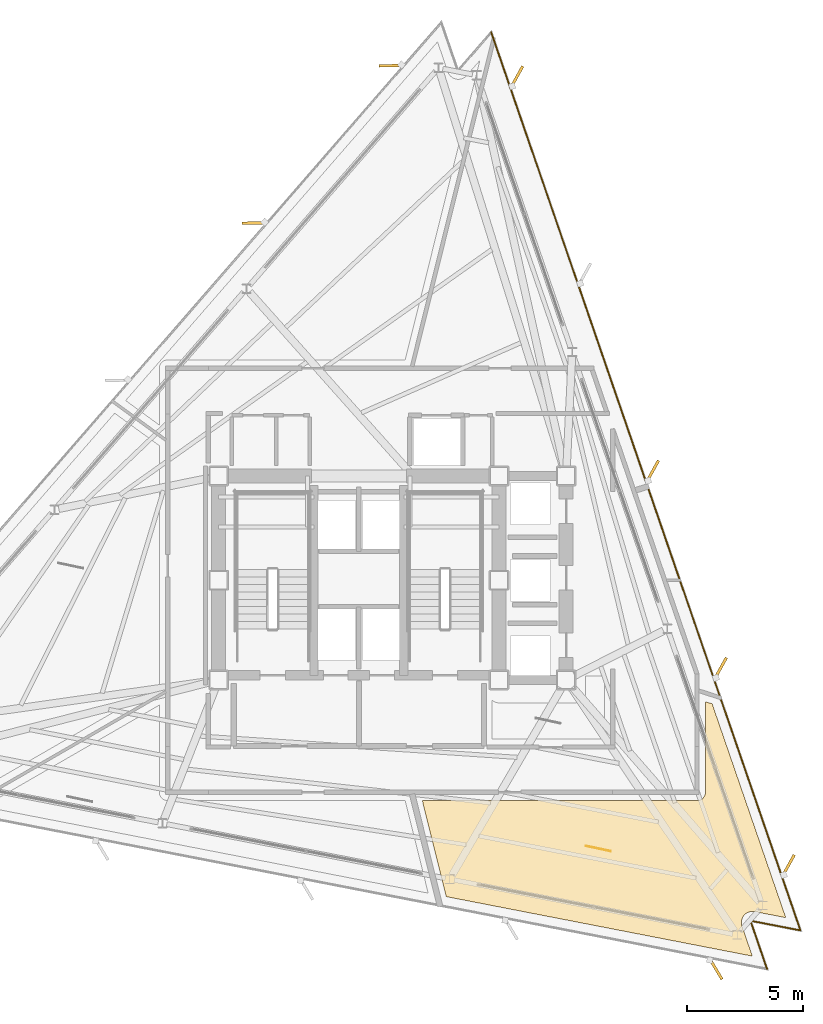
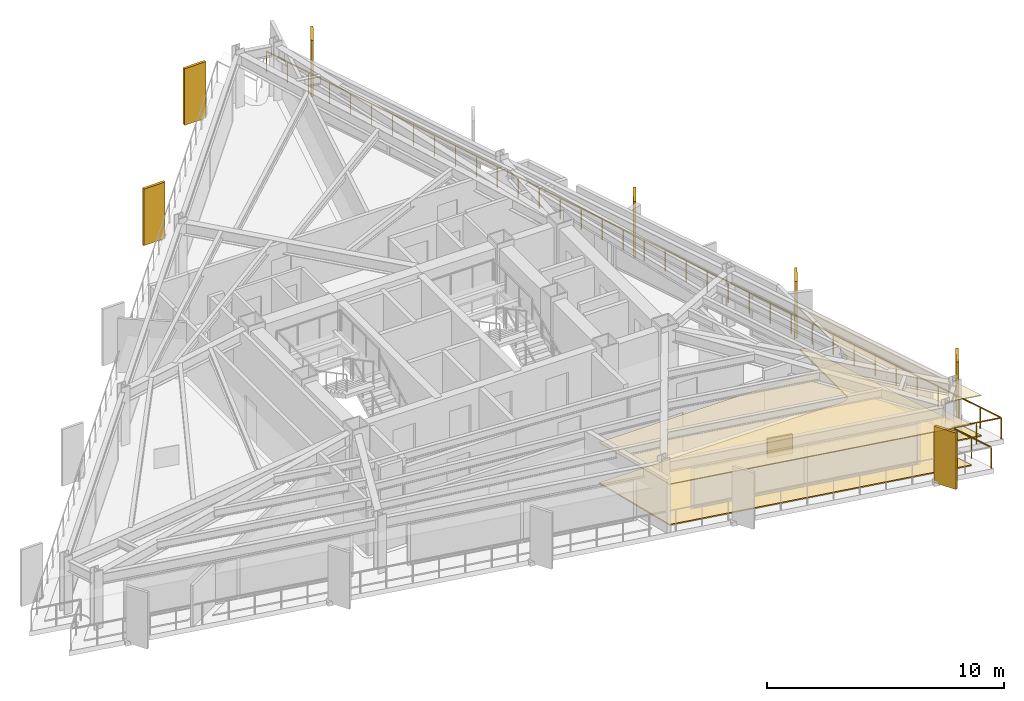
# One storey, part 13 of 13: 7 shading devices, 3 coverings, 1 railing.
"""IFC4 building model written with IfcOpenShell, lengths in metres."""

import ifcopenshell
import ifcopenshell.guid

model = None  # the IFC model being written
_history = None  # IfcOwnerHistory: only IFC2X3 demands one
_inside = {}  # id of a spatial element -> (the spatial element, [elements in it])
_under = {}  # id of a project, library or spatial element -> (it, [spatial elements below it])
_declared = {}  # id of a project -> (the project, [libraries it declares])
_typed = {}  # id of a type object -> (the type object, [elements of that type])
_made_of = {}  # id of a material, layer set ... -> (it, [elements and type objects made of it])


def new_model(schema):
    """Start an empty IFC model of exactly this schema.

    Asked for "IFC4X3", IfcOpenShell would pick the latest addendum, in which some entities
    have other attributes; the version numbers below select the first issue.
    IFC2X3 requires an IfcOwnerHistory on every rooted entity: one is made here for all.
    """
    global model, _history
    if schema == "IFC4X3":
        model = ifcopenshell.file(schema_version=(4, 3, 0, 0))
    else:
        model = ifcopenshell.file(schema=schema)
    _inside.clear()
    _under.clear()
    _declared.clear()
    _typed.clear()
    _made_of.clear()
    _history = None
    if model.schema == "IFC2X3":
        org = make("IfcOrganization", Name="unknown")
        user = make(
            "IfcPersonAndOrganization",
            ThePerson=make("IfcPerson", FamilyName="unknown"),
            TheOrganization=org,
        )
        app = make(
            "IfcApplication",
            ApplicationDeveloper=org,
            Version="unknown",
            ApplicationFullName="unknown",
            ApplicationIdentifier="unknown",
        )
        _history = make(
            "IfcOwnerHistory",
            OwningUser=user,
            OwningApplication=app,
            ChangeAction="ADDED",
            CreationDate=0,
        )
    return model


def make(cls, **values):
    """One entity of the class cls with the attributes given. An attribute that is None is left unset."""
    return model.create_entity(
        cls, **{name: value for name, value in values.items() if value is not None}
    )


def rooted(cls, **values):
    """An entity with a GlobalId (a new one), such as an element, a storey or a relation."""
    return make(cls, GlobalId=ifcopenshell.guid.new(), OwnerHistory=_history, **values)


def si_unit(unit_type, name, prefix=None):
    """IfcSIUnit, for example si_unit("LENGTHUNIT", "METRE", prefix="MILLI")."""
    return make("IfcSIUnit", UnitType=unit_type, Prefix=prefix, Name=name)


def assignment(units):
    """IfcUnitAssignment: the units of a project."""
    return None if units is None else make("IfcUnitAssignment", Units=units)


def point(xyz):
    """IfcCartesianPoint."""
    return None if xyz is None else make("IfcCartesianPoint", Coordinates=xyz)


def direction(xyz):
    """IfcDirection."""
    return None if xyz is None else make("IfcDirection", DirectionRatios=xyz)


def frame(location, z_axis=None, x_axis=None):
    """IfcAxis2Placement3D, a coordinate frame: its origin and axes. An axis left out is left unset."""
    return make(
        "IfcAxis2Placement3D",
        Location=point(location),
        Axis=direction(z_axis),
        RefDirection=direction(x_axis),
    )


def frame_2d(location, x_axis=None):
    """IfcAxis2Placement2D, a coordinate frame in the plane: its origin and x axis."""
    return make(
        "IfcAxis2Placement2D", Location=point(location), RefDirection=direction(x_axis)
    )


def origin():
    """The frame at (0, 0, 0) with its axes left unset."""
    return frame((0.0, 0.0, 0.0))


def origin_2d():
    """The frame at (0, 0) in the plane with its x axis left unset."""
    return frame_2d((0.0, 0.0))


def place(relative_to, where):
    """IfcLocalPlacement: puts the frame where relative to a parent placement (None: the world)."""
    return make(
        "IfcLocalPlacement", PlacementRelTo=relative_to, RelativePlacement=where
    )


def context(
    kind, dimensions, precision=None, world=None, true_north=None, identifier=None
):
    """IfcGeometricRepresentationContext, for example the 3D "Model" context."""
    return make(
        "IfcGeometricRepresentationContext",
        ContextIdentifier=identifier,
        ContextType=kind,
        CoordinateSpaceDimension=dimensions,
        Precision=precision,
        WorldCoordinateSystem=world,
        TrueNorth=true_north,
    )


def subcontext(parent, identifier, kind, view, scale=None):
    """IfcGeometricRepresentationSubContext, for example "Body" below "Model"."""
    return make(
        "IfcGeometricRepresentationSubContext",
        ContextIdentifier=identifier,
        ContextType=kind,
        ParentContext=parent,
        TargetScale=scale,
        TargetView=view,
    )


def project(units=None, contexts=None):
    """IfcProject with its units and contexts."""
    return rooted(
        "IfcProject",
        Name="project",
        RepresentationContexts=contexts,
        UnitsInContext=assignment(units),
    )


def spatial(cls, under=None, at=None, **own):
    """A site, building, storey or space (cls), placed at a placement, below another one or the project."""
    s = rooted(cls, ObjectPlacement=at, **own)
    if under is not None:
        _under.setdefault(under.id(), (under, []))[1].append(s)
    return s


def polyline(points):
    """IfcPolyline through the points."""
    return make("IfcPolyline", Points=[point(p) for p in points])


def profile(cls, at=None, kind="AREA", **sizes):
    """A parametric profile (cls). Its sizes go by their IFC names, for example OverallWidth=200.0."""
    return make(cls, ProfileType=kind, Position=at, **sizes)


def rectangle(**sizes):
    """IfcRectangleProfileDef."""
    return profile("IfcRectangleProfileDef", **sizes)


def outline(outer, holes=None, kind="AREA"):
    """IfcArbitraryClosedProfileDef: a profile drawn as a closed curve; with holes, ...WithVoids."""
    if holes is None:
        return make("IfcArbitraryClosedProfileDef", ProfileType=kind, OuterCurve=outer)
    return make(
        "IfcArbitraryProfileDefWithVoids",
        ProfileType=kind,
        OuterCurve=outer,
        InnerCurves=holes,
    )


def extrude(swept, where, along, depth):
    """IfcExtrudedAreaSolid: the profile swept, set in the frame where, extruded along a direction by depth."""
    return make(
        "IfcExtrudedAreaSolid",
        SweptArea=swept,
        Position=where,
        ExtrudedDirection=direction(along),
        Depth=depth,
    )


def shape(context_of_items, identifier, shape_type, items):
    """IfcShapeRepresentation: the items that make up one representation, for example the "Body"."""
    return make(
        "IfcShapeRepresentation",
        ContextOfItems=context_of_items,
        RepresentationIdentifier=identifier,
        RepresentationType=shape_type,
        Items=items,
    )


def material(Name=None, Category=None):
    """IfcMaterial."""
    return make("IfcMaterial", Name=Name, Category=Category)


def layer(
    of_material, thickness, ventilated=None, Name=None, Category=None, Priority=None
):
    """IfcMaterialLayer: one layer of a wall or slab, of a material (None: an air gap)."""
    return make(
        "IfcMaterialLayer",
        Material=of_material,
        LayerThickness=thickness,
        IsVentilated=ventilated,
        Name=Name,
        Category=Category,
        Priority=Priority,
    )


def layer_set(layers, Name=None):
    """IfcMaterialLayerSet."""
    return make("IfcMaterialLayerSet", MaterialLayers=layers, LayerSetName=Name)


def made_of(thing, what):
    """Note that an element or type object is made of a material, layer set ...; save() writes the relation."""
    if what is not None:
        _made_of.setdefault(what.id(), (what, []))[1].append(thing)
    return thing


def type_object(cls, material=None, **own):
    """A type object (cls), such as IfcWallType, which elements share."""
    return made_of(rooted(cls, **own), material)


def element(
    cls,
    number,
    at=None,
    inside=None,
    cuts=None,
    type_object=None,
    material=None,
    context=None,
    identifier="Body",
    shape_type=None,
    held_by="IfcProductDefinitionShape",
    body=None,
    shapes=None,
    **own,
):
    """One element of the class cls, such as IfcWall. Its Tag is "e" and its number.

    at: its placement. inside: the storey or other place that contains it. cuts: it is an
    opening in that element (IfcRelVoidsElement). A single representation is given by context,
    identifier, shape_type and body (its items); several are given by shapes. held_by: the class
    of the entity that holds the representations. save() writes the other relations.
    """
    e = rooted(cls, Tag="e%d" % number, ObjectPlacement=at, **own)
    if body is not None:
        shapes = [shape(context, identifier, shape_type, body)]
    if shapes is not None:
        e.Representation = make(held_by, Representations=shapes)
    if inside is not None:
        _inside.setdefault(inside.id(), (inside, []))[1].append(e)
    if cuts is not None:
        rooted(
            "IfcRelVoidsElement", RelatingBuildingElement=cuts, RelatedOpeningElement=e
        )
    if type_object is not None:
        _typed.setdefault(type_object.id(), (type_object, []))[1].append(e)
    return made_of(e, material)


def aggregate(whole, parts):
    """IfcRelAggregates: a whole, such as a stair, and the parts it consists of."""
    return rooted("IfcRelAggregates", RelatingObject=whole, RelatedObjects=parts)


def save(model, path):
    """Write the relations noted so far, then the file.

    IfcRelAggregates (storeys below a building ...), IfcRelContainedInSpatialStructure (elements
    in a storey), IfcRelDefinesByType, IfcRelAssociatesMaterial and IfcRelDeclares: one each for
    every whole, place, type object, material and project.
    """
    for whole, parts in _under.values():
        aggregate(whole, parts)
    for where, things in _inside.values():
        rooted(
            "IfcRelContainedInSpatialStructure",
            RelatedElements=things,
            RelatingStructure=where,
        )
    for kind, things in _typed.values():
        rooted("IfcRelDefinesByType", RelatedObjects=things, RelatingType=kind)
    for what, things in _made_of.values():
        rooted("IfcRelAssociatesMaterial", RelatedObjects=things, RelatingMaterial=what)
    for by, libraries in _declared.values():
        rooted("IfcRelDeclares", RelatingContext=by, RelatedDefinitions=libraries)
    model.write(path)


model = new_model("IFC4")

# Units and contexts
model_context = context("Model", 3, precision=1e-05, world=origin(), true_north=direction((0.0, 1.0)))
body_context = subcontext(model_context, "Body", "Model", "MODEL_VIEW")
ifc_project = project(units=[si_unit("LENGTHUNIT", "METRE"), si_unit("AREAUNIT", "SQUARE_METRE"), si_unit("VOLUMEUNIT", "CUBIC_METRE"), si_unit("PLANEANGLEUNIT", "RADIAN"), si_unit("MASSUNIT", "GRAM", prefix="KILO")], contexts=[model_context])

# Site, building, storey
site_placement = place(None, origin())
site = spatial("IfcSite", under=ifc_project, at=site_placement, CompositionType="ELEMENT")
building_placement = place(site_placement, origin())
building = spatial("IfcBuilding", under=site, at=building_placement, Name="Rocaltana Carrier Exchange", CompositionType="ELEMENT")
storey_placement = place(building_placement, frame((0.0, 0.0, 153.280029296875)))
storey = spatial("IfcBuildingStorey", under=building, at=storey_placement, Name="L48", CompositionType="ELEMENT", Elevation=153.280029296875)

# Coverings
ifc_material_1 = material(Name="Calcium Sulphate & Aluminium Pedestal", Category="aluminium")
ifc_layer_1 = layer(ifc_material_1, 0.06005859375)
ifc_layer_set_1 = layer_set([ifc_layer_1], Name="Calcium Sulphate & Aluminium Pedestal")
covering_type_1 = type_object("IfcCoveringType", Name="Anti-Static Raised Exchange Access Floor 60", PredefinedType="FLOORING", material=ifc_layer_set_1)
covering_1_placement = place(storey_placement, origin())
element("IfcCovering", 1, at=covering_1_placement, inside=storey, type_object=covering_type_1, Name="L48 Cloud Architecture Office Finish Floor", PredefinedType="FLOORING", context=body_context, shape_type="SweptSolid", body=[
    extrude(outline(polyline([(18.4287109375, -14.562255859375), (17.085205078125, -14.301025390625), (17.0712890625, -14.298828125), (17.051513671875, -14.2958984375), (17.023681640625, -14.29345703125), (17.00390625, -14.29248046875), (16.975830078125, -14.292724609375), (16.9560546875, -14.2939453125), (16.92822265625, -14.296875), (16.90869140625, -14.300048828125), (16.88134765625, -14.305908203125), (16.862060546875, -14.310791015625), (16.83544921875, -14.319091796875), (16.816650390625, -14.326171875), (16.791015625, -14.337158203125), (16.773193359375, -14.345947265625), (16.748779296875, -14.359619140625), (16.731689453125, -14.3701171875), (16.708984375, -14.385986328125), (16.693115234375, -14.398193359375), (16.671875, -14.416259765625), (16.6572265625, -14.429931640625), (16.637939453125, -14.449951171875), (16.625, -14.465087890625), (16.607666015625, -14.487060546875), (16.59619140625, -14.50341796875), (16.581298828125, -14.52685546875), (16.5712890625, -14.544189453125), (16.558837890625, -14.569091796875), (16.55078125, -14.58740234375), (16.540771484375, -14.613525390625), (16.534423828125, -14.63232421875), (16.527099609375, -14.6591796875), (16.522705078125, -14.6787109375), (16.518310546875, -14.706298828125), (16.515869140625, -14.72607421875), (16.513916015625, -14.75390625), (16.513671875, -14.77392578125), (16.5146484375, -14.8017578125), (16.51611328125, -14.82177734375), (16.52001953125, -14.849365234375), (16.5234375, -14.868896484375), (16.52978515625, -14.89599609375), (16.535400390625, -14.915283203125), (16.539794921875, -14.9287109375), (16.9853515625, -16.22265625), (3.775634765625, -13.65478515625), (2.7421875, -9.510009765625), (14.60009765625, -9.510009765625), (14.61376953125, -9.509765625), (14.62158203125, -9.50927734375), (14.64892578125, -9.506591796875), (14.65673828125, -9.50537109375), (14.68359375, -9.5), (14.69140625, -9.498291015625), (14.717529296875, -9.490234375), (14.724853515625, -9.487548828125), (14.750244140625, -9.47705078125), (14.75732421875, -9.4736328125), (14.78173828125, -9.460693359375), (14.788330078125, -9.456787109375), (14.811279296875, -9.44140625), (14.8173828125, -9.436767578125), (14.8388671875, -9.419189453125), (14.844482421875, -9.4140625), (14.864013671875, -9.39453125), (14.869384765625, -9.388916015625), (14.88671875, -9.367431640625), (14.891357421875, -9.361083984375), (14.90673828125, -9.33837890625), (14.91064453125, -9.331787109375), (14.923583984375, -9.307373046875), (14.927001953125, -9.30029296875), (14.9375, -9.27490234375), (14.940185546875, -9.267578125), (14.9482421875, -9.2412109375), (14.9501953125, -9.233642578125), (14.955322265625, -9.206787109375), (14.95654296875, -9.198974609375), (14.959228515625, -9.171630859375), (14.959716796875, -9.163818359375), (14.9599609375, -9.14990234375), (14.9599609375, -5.2392578125), (15.2509765625, -5.333984375), (18.4287109375, -14.562255859375)])), origin(), (0.0, 0.0, 1.0), 0.06005859375),
])
ifc_material_2 = material(Name="Mineral Fibre & Powder-Coated Aluminium", Category="aluminium")
ifc_layer_2 = layer(ifc_material_2, 0.044921875)
ifc_layer_set_2 = layer_set([ifc_layer_2], Name="Mineral Fibre & Powder-Coated Aluminium")
covering_type_2 = type_object("IfcCoveringType", Name="Micro-Perforated Acoustic Ceiling 45", PredefinedType="CEILING", material=ifc_layer_set_2)
covering_2_placement = place(storey_placement, frame((0.0, 0.0, 2.093017578125)))
element("IfcCovering", 2, at=covering_2_placement, inside=storey, type_object=covering_type_2, Name="L48 Cloud Architecture Office Acoustic Ceiling", PredefinedType="CEILING", context=body_context, shape_type="SweptSolid", body=[
    extrude(outline(polyline([(18.4287109375, -14.562255859375), (17.085205078125, -14.301025390625), (17.0712890625, -14.298828125), (17.051513671875, -14.2958984375), (17.023681640625, -14.29345703125), (17.00390625, -14.29248046875), (16.975830078125, -14.292724609375), (16.9560546875, -14.2939453125), (16.92822265625, -14.296875), (16.90869140625, -14.300048828125), (16.88134765625, -14.305908203125), (16.862060546875, -14.310791015625), (16.83544921875, -14.319091796875), (16.816650390625, -14.326171875), (16.791015625, -14.337158203125), (16.773193359375, -14.345947265625), (16.748779296875, -14.359619140625), (16.731689453125, -14.3701171875), (16.708984375, -14.385986328125), (16.693115234375, -14.398193359375), (16.671875, -14.416259765625), (16.6572265625, -14.429931640625), (16.637939453125, -14.449951171875), (16.625, -14.465087890625), (16.607666015625, -14.487060546875), (16.59619140625, -14.50341796875), (16.581298828125, -14.52685546875), (16.5712890625, -14.544189453125), (16.558837890625, -14.569091796875), (16.55078125, -14.58740234375), (16.540771484375, -14.613525390625), (16.534423828125, -14.63232421875), (16.527099609375, -14.6591796875), (16.522705078125, -14.6787109375), (16.518310546875, -14.706298828125), (16.515869140625, -14.72607421875), (16.513916015625, -14.75390625), (16.513671875, -14.77392578125), (16.5146484375, -14.8017578125), (16.51611328125, -14.82177734375), (16.52001953125, -14.849365234375), (16.5234375, -14.868896484375), (16.52978515625, -14.89599609375), (16.535400390625, -14.915283203125), (16.539794921875, -14.9287109375), (16.9853515625, -16.22265625), (3.775634765625, -13.65478515625), (2.7421875, -9.510009765625), (14.60009765625, -9.510009765625), (14.61376953125, -9.509765625), (14.62158203125, -9.50927734375), (14.64892578125, -9.506591796875), (14.65673828125, -9.50537109375), (14.68359375, -9.5), (14.69140625, -9.498291015625), (14.717529296875, -9.490234375), (14.724853515625, -9.487548828125), (14.750244140625, -9.47705078125), (14.75732421875, -9.4736328125), (14.78173828125, -9.460693359375), (14.788330078125, -9.456787109375), (14.811279296875, -9.44140625), (14.8173828125, -9.436767578125), (14.8388671875, -9.419189453125), (14.844482421875, -9.4140625), (14.864013671875, -9.39453125), (14.869384765625, -9.388916015625), (14.88671875, -9.367431640625), (14.891357421875, -9.361083984375), (14.90673828125, -9.33837890625), (14.91064453125, -9.331787109375), (14.923583984375, -9.307373046875), (14.927001953125, -9.30029296875), (14.9375, -9.27490234375), (14.940185546875, -9.267578125), (14.9482421875, -9.2412109375), (14.9501953125, -9.233642578125), (14.955322265625, -9.206787109375), (14.95654296875, -9.198974609375), (14.959228515625, -9.171630859375), (14.959716796875, -9.163818359375), (14.9599609375, -9.14990234375), (14.9599609375, -5.2392578125), (15.2509765625, -5.333984375), (18.4287109375, -14.562255859375)])), origin(), (0.0, 0.0, 1.0), 0.044921875),
])
ifc_material_3 = material(Name="Honed Piedra Muneca Sandstone", Category="masonry")
ifc_layer_3 = layer(ifc_material_3, 0.034912109375)
ifc_layer_set_3 = layer_set([ifc_layer_3], Name="Honed Piedra Muneca Sandstone")
covering_type_3 = type_object("IfcCoveringType", Name="Stone Facade Cladding 35", PredefinedType="CLADDING", material=ifc_layer_set_3)
covering_3_placement = place(storey_placement, frame((10.330810546875, -11.58251953125, 0.0), z_axis=(0.0, 0.0, 1.0), x_axis=(-0.978147600734, 0.207911690818, 0.0)))
element("IfcCovering", 3, at=covering_3_placement, inside=storey, type_object=covering_type_3, Name="L48 Stone Facade Cladding Panel 3", PredefinedType="CLADDING", context=body_context, shape_type="SweptSolid", body=[
    extrude(rectangle(XDim=1.10009765625, YDim=0.034912109375, at=origin_2d()), origin(), (0.0, 0.0, 1.0), 1.050048828125),
])

# Shading devices
ifc_material_4 = material(Name="Honed Bogota Sandstone & Concrete C45/55", Category="masonry")
ifc_layer_4 = layer(ifc_material_4, 0.1201171875)
ifc_layer_set_4 = layer_set([ifc_layer_4], Name="Honed Bogota Sandstone & Concrete C45/55")
shading_device_type = type_object("IfcShadingDeviceType", Name="Upper Sandstone Shading Fin 1050x120", PredefinedType="USERDEFINED", material=ifc_layer_set_4)
for number, where, z_axis, x_axis, name in (
    (4, (18.541748046875, -12.3095703125, -0.1201171875), (0.0, 0.0, 1.0), (0.484809620246, 0.874619707139, 0.0), "L48 Sandstone Vertical Fin F1-01"),
    (5, (15.61181640625, -3.7998046875, -0.1201171875), (0.0, 0.0, 1.0), (0.484809620246, 0.874619707139, 0.0), "L48 Sandstone Vertical Fin F1-02"),
    (6, (12.681396484375, 4.709716796875, -0.1201171875), (0.0, 0.0, 1.0), (0.484809620246, 0.874619707139, 0.0), "L48 Sandstone Vertical Fin F1-03"),
    (7, (6.8212890625, 21.729248046875, -0.1201171875), (0.0, 0.0, 1.0), (0.484809620246, 0.874619707139, 0.0), "L48 Sandstone Vertical Fin F1-05"),
    (8, (1.389404296875, 22.21240234375, -0.1201171875), (0.0, 0.0, 1.0), (-0.999847695156, -0.017452406437, 0.0), "L48 Sandstone Vertical Fin F2-01"),
    (9, (-4.51513671875, 15.419921875, -0.1201171875), (0.0, 0.0, 1.0), (-0.999847695156, -0.017452406437, 0.0), "L48 Sandstone Vertical Fin F2-02"),
    (10, (15.407470703125, -16.77197265625, -0.1201171875), (0.0, 0.0, 1.0), (0.51503807491, -0.857167300702, 0.0), "L48 Sandstone Vertical Fin F3-05"),
):
    element("IfcShadingDevice", number, at=place(storey_placement, frame(where, z_axis=z_axis, x_axis=x_axis)), inside=storey, type_object=shading_device_type, Name=name, ObjectType="FIN", PredefinedType="USERDEFINED", context=body_context, shape_type="SweptSolid", body=[
        extrude(rectangle(XDim=1.050048828125, YDim=0.1201171875, at=origin_2d()), origin(), (0.0, 0.0, 1.0), 2.907958984375),
    ])

# Railing
ifc_material_5 = material(Name="Powder-Coated Aluminium 6063-T6", Category="aluminium")
ifc_layer_5 = layer(ifc_material_5, 0.06005859375)
ifc_layer_set_5 = layer_set([ifc_layer_5], Name="Powder-Coated Aluminium 6063-T6")
railing_type = type_object("IfcRailingType", Name="Wind-Floor & Terrace Perimeter Guardrail 1100", PredefinedType="GUARDRAIL", material=ifc_layer_set_5)
railing_placement = place(storey_placement, frame((5.716796875, 23.6455078125, 0.0)))
element("IfcRailing", 11, at=railing_placement, inside=storey, type_object=railing_type, Name="L48 Perimeter Balcony Guardrail 3", PredefinedType="GUARDRAIL", context=body_context, shape_type="SweptSolid", body=[
    extrude(rectangle(XDim=0.048095703125, YDim=0.048095703125, at=origin_2d()), frame((0.0, 0.0, 1.076171875), z_axis=(0.325567757379, -0.945518712324, 0.0), x_axis=(0.945518712324, 0.325567757379, 0.0)), (0.0, 0.0, 1.0), 40.9921875),
    extrude(rectangle(XDim=0.048095703125, YDim=0.048095703125, at=origin_2d()), frame((13.345703125, -38.7587890625, 1.076171875), z_axis=(-0.981637329589, 0.190756790591, 0.0), x_axis=(-0.190756790591, -0.981637329589, 0.0)), (0.0, 0.0, 1.0), 2.199951171875),
    extrude(rectangle(XDim=0.048095703125, YDim=0.048095703125, at=origin_2d()), frame((11.18603515625, -38.339111328125, 1.076171875), z_axis=(0.325600768791, -0.945507344955, 0.0), x_axis=(0.945507344955, 0.325600768791, 0.0)), (0.0, 0.0, 1.0), 2.199951171875),
    extrude(rectangle(XDim=0.0419921875, YDim=0.0419921875, at=origin_2d()), origin(), (0.0, 0.0, 1.0), 1.052001953125),
    extrude(rectangle(XDim=0.0419921875, YDim=0.0419921875, at=origin_2d()), frame((0.38134765625, -1.107421875, 0.0)), (0.0, 0.0, 1.0), 1.052001953125),
    extrude(rectangle(XDim=0.0419921875, YDim=0.0419921875, at=origin_2d()), frame((0.7626953125, -2.21484375, 0.0)), (0.0, 0.0, 1.0), 1.052001953125),
    extrude(rectangle(XDim=0.0419921875, YDim=0.0419921875, at=origin_2d()), frame((1.143798828125, -3.322265625, 0.0)), (0.0, 0.0, 1.0), 1.052001953125),
    extrude(rectangle(XDim=0.0419921875, YDim=0.0419921875, at=origin_2d()), frame((1.525146484375, -4.4296875, 0.0)), (0.0, 0.0, 1.0), 1.052001953125),
    extrude(rectangle(XDim=0.0419921875, YDim=0.0419921875, at=origin_2d()), frame((1.906494140625, -5.536865234375, 0.0)), (0.0, 0.0, 1.0), 1.052001953125),
    extrude(rectangle(XDim=0.0419921875, YDim=0.0419921875, at=origin_2d()), frame((2.287841796875, -6.644287109375, 0.0)), (0.0, 0.0, 1.0), 1.052001953125),
    extrude(rectangle(XDim=0.0419921875, YDim=0.0419921875, at=origin_2d()), frame((2.669189453125, -7.751708984375, 0.0)), (0.0, 0.0, 1.0), 1.052001953125),
    extrude(rectangle(XDim=0.0419921875, YDim=0.0419921875, at=origin_2d()), frame((3.050537109375, -8.859130859375, 0.0)), (0.0, 0.0, 1.0), 1.052001953125),
    extrude(rectangle(XDim=0.0419921875, YDim=0.0419921875, at=origin_2d()), frame((3.431640625, -9.966552734375, 0.0)), (0.0, 0.0, 1.0), 1.052001953125),
    extrude(rectangle(XDim=0.0419921875, YDim=0.0419921875, at=origin_2d()), frame((3.81298828125, -11.073974609375, 0.0)), (0.0, 0.0, 1.0), 1.052001953125),
    extrude(rectangle(XDim=0.0419921875, YDim=0.0419921875, at=origin_2d()), frame((4.1943359375, -12.181396484375, 0.0)), (0.0, 0.0, 1.0), 1.052001953125),
    extrude(rectangle(XDim=0.0419921875, YDim=0.0419921875, at=origin_2d()), frame((4.57568359375, -13.288818359375, 0.0)), (0.0, 0.0, 1.0), 1.052001953125),
    extrude(rectangle(XDim=0.0419921875, YDim=0.0419921875, at=origin_2d()), frame((4.95703125, -14.396240234375, 0.0)), (0.0, 0.0, 1.0), 1.052001953125),
    extrude(rectangle(XDim=0.0419921875, YDim=0.0419921875, at=origin_2d()), frame((5.33837890625, -15.50341796875, 0.0)), (0.0, 0.0, 1.0), 1.052001953125),
    extrude(rectangle(XDim=0.0419921875, YDim=0.0419921875, at=origin_2d()), frame((5.719482421875, -16.61083984375, 0.0)), (0.0, 0.0, 1.0), 1.052001953125),
    extrude(rectangle(XDim=0.0419921875, YDim=0.0419921875, at=origin_2d()), frame((6.100830078125, -17.71826171875, 0.0)), (0.0, 0.0, 1.0), 1.052001953125),
    extrude(rectangle(XDim=0.0419921875, YDim=0.0419921875, at=origin_2d()), frame((6.482177734375, -18.82568359375, 0.0)), (0.0, 0.0, 1.0), 1.052001953125),
    extrude(rectangle(XDim=0.0419921875, YDim=0.0419921875, at=origin_2d()), frame((6.863525390625, -19.93310546875, 0.0)), (0.0, 0.0, 1.0), 1.052001953125),
    extrude(rectangle(XDim=0.0419921875, YDim=0.0419921875, at=origin_2d()), frame((7.244873046875, -21.04052734375, 0.0)), (0.0, 0.0, 1.0), 1.052001953125),
    extrude(rectangle(XDim=0.0419921875, YDim=0.0419921875, at=origin_2d()), frame((7.626220703125, -22.14794921875, 0.0)), (0.0, 0.0, 1.0), 1.052001953125),
    extrude(rectangle(XDim=0.0419921875, YDim=0.0419921875, at=origin_2d()), frame((8.00732421875, -23.25537109375, 0.0)), (0.0, 0.0, 1.0), 1.052001953125),
    extrude(rectangle(XDim=0.0419921875, YDim=0.0419921875, at=origin_2d()), frame((8.388671875, -24.362548828125, 0.0)), (0.0, 0.0, 1.0), 1.052001953125),
    extrude(rectangle(XDim=0.0419921875, YDim=0.0419921875, at=origin_2d()), frame((8.77001953125, -25.469970703125, 0.0)), (0.0, 0.0, 1.0), 1.052001953125),
    extrude(rectangle(XDim=0.0419921875, YDim=0.0419921875, at=origin_2d()), frame((9.1513671875, -26.577392578125, 0.0)), (0.0, 0.0, 1.0), 1.052001953125),
    extrude(rectangle(XDim=0.0419921875, YDim=0.0419921875, at=origin_2d()), frame((9.53271484375, -27.684814453125, 0.0)), (0.0, 0.0, 1.0), 1.052001953125),
    extrude(rectangle(XDim=0.0419921875, YDim=0.0419921875, at=origin_2d()), frame((9.9140625, -28.792236328125, 0.0)), (0.0, 0.0, 1.0), 1.052001953125),
    extrude(rectangle(XDim=0.0419921875, YDim=0.0419921875, at=origin_2d()), frame((10.295166015625, -29.899658203125, 0.0)), (0.0, 0.0, 1.0), 1.052001953125),
    extrude(rectangle(XDim=0.0419921875, YDim=0.0419921875, at=origin_2d()), frame((10.676513671875, -31.007080078125, 0.0)), (0.0, 0.0, 1.0), 1.052001953125),
    extrude(rectangle(XDim=0.0419921875, YDim=0.0419921875, at=origin_2d()), frame((11.057861328125, -32.114501953125, 0.0)), (0.0, 0.0, 1.0), 1.052001953125),
    extrude(rectangle(XDim=0.0419921875, YDim=0.0419921875, at=origin_2d()), frame((11.439208984375, -33.221923828125, 0.0)), (0.0, 0.0, 1.0), 1.052001953125),
    extrude(rectangle(XDim=0.0419921875, YDim=0.0419921875, at=origin_2d()), frame((11.820556640625, -34.3291015625, 0.0)), (0.0, 0.0, 1.0), 1.052001953125),
    extrude(rectangle(XDim=0.0419921875, YDim=0.0419921875, at=origin_2d()), frame((12.201904296875, -35.4365234375, 0.0)), (0.0, 0.0, 1.0), 1.052001953125),
    extrude(rectangle(XDim=0.0419921875, YDim=0.0419921875, at=origin_2d()), frame((12.5830078125, -36.5439453125, 0.0)), (0.0, 0.0, 1.0), 1.052001953125),
    extrude(rectangle(XDim=0.0419921875, YDim=0.0419921875, at=origin_2d()), frame((12.96435546875, -37.6513671875, 0.0)), (0.0, 0.0, 1.0), 1.052001953125),
    extrude(rectangle(XDim=0.0419921875, YDim=0.0419921875, at=origin_2d()), frame((13.345703125, -38.7587890625, 0.0)), (0.0, 0.0, 1.0), 1.052001953125),
    extrude(rectangle(XDim=0.0419921875, YDim=0.0419921875, at=origin_2d()), frame((12.265869140625, -38.548828125, 0.0)), (0.0, 0.0, 1.0), 1.052001953125),
    extrude(rectangle(XDim=0.0419921875, YDim=0.0419921875, at=origin_2d()), frame((11.18603515625, -38.339111328125, 0.0)), (0.0, 0.0, 1.0), 1.052001953125),
    extrude(rectangle(XDim=0.0419921875, YDim=0.0419921875, at=origin_2d()), frame((11.544189453125, -39.379150390625, 0.0)), (0.0, 0.0, 1.0), 1.052001953125),
    extrude(rectangle(XDim=0.0419921875, YDim=0.0419921875, at=origin_2d()), frame((11.90234375, -40.419189453125, 0.0)), (0.0, 0.0, 1.0), 1.052001953125),
])

save(model, "model.ifc")
